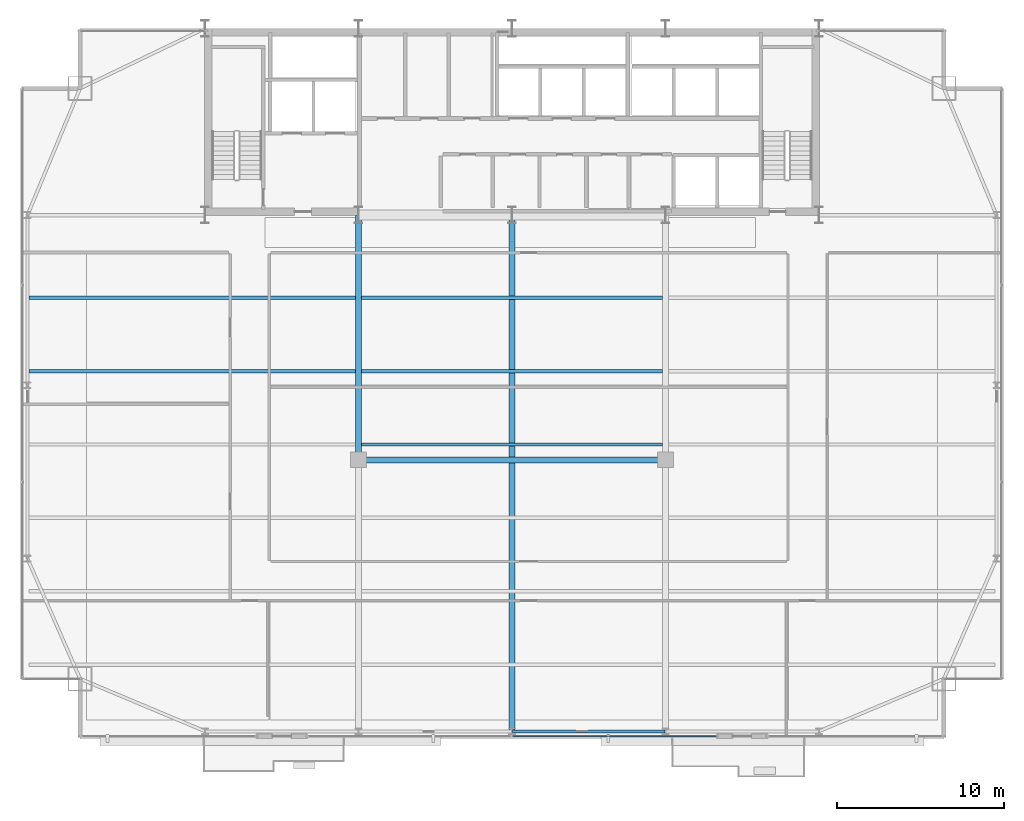
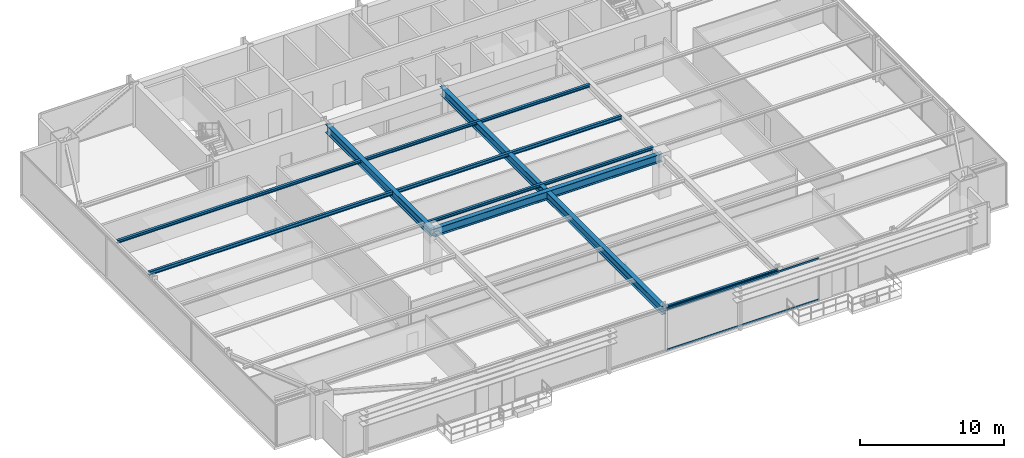
# One storey, part 11 of 34: 9 beams, 2 members, 1 element without a shape of its own.
"""IFC4 building model written with IfcOpenShell, lengths in metres."""

from ifc_helpers import new_model, si_unit, direction, frame, origin, origin_2d, place, context, subcontext, project, spatial, hollow_rectangle, i_section, extrude, source, transform, mapped, material, layer, layer_set, material_profile, profile_set, type_object, type_shapes, element, aggregate, save


model = new_model("IFC4")

# Units and contexts
model_context = context("Model", 3, precision=1e-05, world=origin(), true_north=direction((0.0, 1.0)))
body_context = subcontext(model_context, "Body", "Model", "MODEL_VIEW")
ifc_project = project(units=[si_unit("LENGTHUNIT", "METRE"), si_unit("AREAUNIT", "SQUARE_METRE"), si_unit("VOLUMEUNIT", "CUBIC_METRE"), si_unit("PLANEANGLEUNIT", "RADIAN"), si_unit("MASSUNIT", "GRAM", prefix="KILO")], contexts=[model_context])

# Site, building, storey
site_placement = place(None, origin())
site = spatial("IfcSite", under=ifc_project, at=site_placement, CompositionType="ELEMENT")
building_placement = place(site_placement, origin())
building = spatial("IfcBuilding", under=site, at=building_placement, Name="Varnel Quay Broadcast Tower", CompositionType="ELEMENT")
storey_placement = place(building_placement, frame((0.0, 0.0, 110.60009765625)))
storey = spatial("IfcBuildingStorey", under=building, at=storey_placement, Name="L26", CompositionType="ELEMENT", Elevation=110.60009765625)

# Beams
ifc_material_1 = material(Name="Structural Steel CSA G40.21 350W", Category="steel")
ifc_material_profile_1 = material_profile(ifc_material_1, i_section(OverallWidth=0.180908203125, OverallDepth=0.4169921875, WebThickness=0.010986328125, FlangeThickness=0.018310546875, FilletRadius=0.011962890625, at=origin_2d()), Name="W410X85")
ifc_profile_set_1 = profile_set([ifc_material_profile_1], Name="Structural Steel CSA G40.21 350W")
beam_type_1 = type_object("IfcBeamType", Name="Beam_W410X85", PredefinedType="SPANDREL", material=ifc_profile_set_1)
shared_shape_1 = source(origin(), body_context, "Body", "SweptSolid", [
    extrude(i_section(OverallWidth=0.180908203125, OverallDepth=0.4169921875, WebThickness=0.010986328125, FlangeThickness=0.018310546875, FilletRadius=0.011962890625, at=origin_2d()), origin(), (0.0, 0.0, 1.0), 9.159912109375),
])
type_shapes(beam_type_1, [shared_shape_1])
beam_1_placement = place(storey_placement, frame((34.02001953125, 4.64990234375, 3.34130859375), z_axis=(1.0, 0.0, 0.0), x_axis=(0.0, 1.0, 0.0)))
element("IfcBeam", 1, at=beam_1_placement, inside=storey, type_object=beam_type_1, Name="L26 South Spandrel TC-S3-TC-S4", PredefinedType="SPANDREL", context=body_context, shape_type="MappedRepresentation", body=[
    mapped(shared_shape_1, transform((0.0, 0.0, 0.0), x_axis=(1.0, 0.0, 0.0), y_axis=(0.0, 1.0, 0.0), z_axis=(0.0, 0.0, 1.0), scale=1.0)),
])
ifc_material_profile_2 = material_profile(ifc_material_1, i_section(OverallWidth=0.35498046875, OverallDepth=0.695068359375, WebThickness=0.015380859375, FlangeThickness=0.02490234375, FilletRadius=0.01806640625, at=origin_2d()), Name="W690X217")
ifc_profile_set_2 = profile_set([ifc_material_profile_2], Name="Structural Steel CSA G40.21 350W")
beam_type_2 = type_object("IfcBeamType", Name="Girder_W690X217", PredefinedType="BEAM", material=ifc_profile_set_2)
shared_shape_2 = source(origin(), body_context, "Body", "SweptSolid", [
    extrude(i_section(OverallWidth=0.35498046875, OverallDepth=0.695068359375, WebThickness=0.015380859375, FlangeThickness=0.02490234375, FilletRadius=0.01806640625, at=origin_2d()), origin(), (0.0, 0.0, 1.0), 14.630126953125),
])
beam_2_placement = place(storey_placement, frame((24.800048828125, 20.949951171875, 3.202392578125), z_axis=(0.0, 1.0, 0.0), x_axis=(-1.0, 0.0, 0.0)))
element("IfcBeam", 2, at=beam_2_placement, inside=storey, type_object=beam_type_2, Name="L26 Primary Girder IC-01-CC-S2", PredefinedType="BEAM", context=body_context, shape_type="MappedRepresentation", body=[
    mapped(shared_shape_2, transform((0.0, 0.0, 0.0), x_axis=(1.0, 0.0, 0.0), y_axis=(0.0, 1.0, 0.0), z_axis=(0.0, 0.0, 1.0), scale=1.0)),
])
shared_shape_3 = source(origin(), body_context, "Body", "SweptSolid", [
    extrude(i_section(OverallWidth=0.35498046875, OverallDepth=0.695068359375, WebThickness=0.015380859375, FlangeThickness=0.02490234375, FilletRadius=0.01806640625, at=origin_2d()), origin(), (0.0, 0.0, 1.0), 18.35986328125),
])
beam_3_placement = place(storey_placement, frame((24.820068359375, 20.929931640625, 3.202392578125), z_axis=(1.0, 0.0, 0.0), x_axis=(0.0, 1.0, 0.0)))
element("IfcBeam", 3, at=beam_3_placement, inside=storey, type_object=beam_type_2, Name="L26 Interior Spine Girder", PredefinedType="BEAM", context=body_context, shape_type="MappedRepresentation", body=[
    mapped(shared_shape_3, transform((0.0, 0.0, 0.0), x_axis=(1.0, 0.0, 0.0), y_axis=(0.0, 1.0, 0.0), z_axis=(0.0, 0.0, 1.0), scale=1.0)),
])
shared_shape_4 = source(origin(), body_context, "Body", "SweptSolid", [
    extrude(i_section(OverallWidth=0.35498046875, OverallDepth=0.695068359375, WebThickness=0.015380859375, FlangeThickness=0.02490234375, FilletRadius=0.01806640625, at=origin_2d()), origin(), (0.0, 0.0, 1.0), 30.91015625),
])
type_shapes(beam_type_2, [shared_shape_2, shared_shape_3, shared_shape_4])
beam_4_placement = place(storey_placement, frame((34.0, 4.669921875, 3.202392578125), z_axis=(0.0, 1.0, 0.0), x_axis=(-1.0, 0.0, 0.0)))
element("IfcBeam", 4, at=beam_4_placement, inside=storey, type_object=beam_type_2, Name="L26 Central Bay Girder", PredefinedType="BEAM", context=body_context, shape_type="MappedRepresentation", body=[
    mapped(shared_shape_4, transform((0.0, 0.0, 0.0), x_axis=(1.0, 0.0, 0.0), y_axis=(0.0, 1.0, 0.0), z_axis=(0.0, 0.0, 1.0), scale=1.0)),
])
ifc_material_profile_3 = material_profile(ifc_material_1, i_section(OverallWidth=0.202880859375, OverallDepth=0.302978515625, WebThickness=0.007568359375, FlangeThickness=0.01318359375, FilletRadius=0.011962890625, at=origin_2d()), Name="W310X60")
ifc_profile_set_3 = profile_set([ifc_material_profile_3], Name="Structural Steel CSA G40.21 350W")
beam_type_3 = type_object("IfcBeamType", Name="Beam_W310X60", PredefinedType="JOIST", material=ifc_profile_set_3)
shared_shape_5 = source(origin(), body_context, "Body", "SweptSolid", [
    extrude(i_section(OverallWidth=0.202880859375, OverallDepth=0.302978515625, WebThickness=0.007568359375, FlangeThickness=0.01318359375, FilletRadius=0.011962890625, at=origin_2d()), origin(), (0.0, 0.0, 1.0), 19.592041015625),
])
beam_5_placement = place(storey_placement, frame((5.035400390625, 26.25, 3.3984375), z_axis=(1.0, 0.0, 0.0), x_axis=(0.0, 1.0, 0.0)))
element("IfcBeam", 5, at=beam_5_placement, inside=storey, type_object=beam_type_3, Name="L26 West Floor Joist 5", PredefinedType="JOIST", context=body_context, shape_type="MappedRepresentation", body=[
    mapped(shared_shape_5, transform((0.0, 0.0, 0.0), x_axis=(1.0, 0.0, 0.0), y_axis=(0.0, 1.0, 0.0), z_axis=(0.0, 0.0, 1.0), scale=1.0)),
])
shared_shape_6 = source(origin(), body_context, "Body", "SweptSolid", [
    extrude(i_section(OverallWidth=0.202880859375, OverallDepth=0.302978515625, WebThickness=0.007568359375, FlangeThickness=0.01318359375, FilletRadius=0.011962890625, at=origin_2d()), origin(), (0.0, 0.0, 1.0), 18.05517578125),
])
type_shapes(beam_type_3, [shared_shape_5, shared_shape_6])
beam_6_placement = place(storey_placement, frame((24.972412109375, 26.25, 3.3984375), z_axis=(1.0, 0.0, 0.0), x_axis=(0.0, 1.0, 0.0)))
element("IfcBeam", 6, at=beam_6_placement, inside=storey, type_object=beam_type_3, Name="L26 Central Floor Joist 5", PredefinedType="JOIST", context=body_context, shape_type="MappedRepresentation", body=[
    mapped(shared_shape_6, transform((0.0, 0.0, 0.0), x_axis=(1.0, 0.0, 0.0), y_axis=(0.0, 1.0, 0.0), z_axis=(0.0, 0.0, 1.0), scale=1.0)),
])
ifc_material_profile_4 = material_profile(ifc_material_1, i_section(OverallWidth=0.201904296875, OverallDepth=0.2470703125, WebThickness=0.00732421875, FlangeThickness=0.010986328125, FilletRadius=0.010986328125, at=origin_2d()), Name="W250X49")
ifc_profile_set_4 = profile_set([ifc_material_profile_4], Name="Structural Steel CSA G40.21 350W")
beam_type_4 = type_object("IfcBeamType", Name="Beam_W250X49", PredefinedType="JOIST", material=ifc_profile_set_4)
shared_shape_7 = source(origin(), body_context, "Body", "SweptSolid", [
    extrude(i_section(OverallWidth=0.201904296875, OverallDepth=0.2470703125, WebThickness=0.00732421875, FlangeThickness=0.010986328125, FilletRadius=0.010986328125, at=origin_2d()), origin(), (0.0, 0.0, 1.0), 19.592041015625),
])
beam_7_placement = place(storey_placement, frame((5.035400390625, 30.64990234375, 3.426513671875), z_axis=(1.0, 0.0, 0.0), x_axis=(0.0, 1.0, 0.0)))
element("IfcBeam", 7, at=beam_7_placement, inside=storey, type_object=beam_type_4, Name="L26 West Floor Joist 6", PredefinedType="JOIST", context=body_context, shape_type="MappedRepresentation", body=[
    mapped(shared_shape_7, transform((0.0, 0.0, 0.0), x_axis=(1.0, 0.0, 0.0), y_axis=(0.0, 1.0, 0.0), z_axis=(0.0, 0.0, 1.0), scale=1.0)),
])
shared_shape_8 = source(origin(), body_context, "Body", "SweptSolid", [
    extrude(i_section(OverallWidth=0.201904296875, OverallDepth=0.2470703125, WebThickness=0.00732421875, FlangeThickness=0.010986328125, FilletRadius=0.010986328125, at=origin_2d()), origin(), (0.0, 0.0, 1.0), 18.05517578125),
])
type_shapes(beam_type_4, [shared_shape_7, shared_shape_8])
for number, where, z_axis, x_axis, name in (
    (8, (24.972412109375, 21.85009765625, 3.426513671875), (1.0, 0.0, 0.0), (0.0, 1.0, 0.0), "L26 Central Floor Joist 4"),
    (9, (24.972412109375, 30.64990234375, 3.426513671875), (1.0, 0.0, 0.0), (0.0, 1.0, 0.0), "L26 Central Floor Joist 6"),
):
    element("IfcBeam", number, at=place(storey_placement, frame(where, z_axis=z_axis, x_axis=x_axis)), inside=storey, type_object=beam_type_4, Name=name, PredefinedType="JOIST", context=body_context, shape_type="MappedRepresentation", body=[
        mapped(shared_shape_8, transform((0.0, 0.0, 0.0), x_axis=(1.0, 0.0, 0.0), y_axis=(0.0, 1.0, 0.0), z_axis=(0.0, 0.0, 1.0), scale=1.0)),
    ])

# Curtain wall, members
ifc_material_2 = material(Name="Anodised Bronze Aluminium 6063-T6", Category="aluminium")
ifc_layer = layer(ifc_material_2, 0.18994140625, Name="Anodised Bronze Aluminium 6063-T6")
ifc_layer_set = layer_set([ifc_layer], Name="Anodised Bronze Aluminium 6063-T6")
curtain_wall_type = type_object("IfcCurtainWallType", Name="CW_LowerTower", PredefinedType="NOTDEFINED", material=ifc_layer_set)
curtain_wall_placement = place(storey_placement, origin())
curtain_wall = element("IfcCurtainWall", 10, at=curtain_wall_placement, inside=storey, type_object=curtain_wall_type, Name="L26 South Unitised Curtain Wall 2", PredefinedType="NOTDEFINED")
ifc_material_profile_5 = material_profile(ifc_material_2, hollow_rectangle(XDim=0.06005859375, YDim=0.14501953125, WallThickness=0.00341796875, at=origin_2d()), Name="ALU60X145X3.5")
ifc_profile_set_5 = profile_set([ifc_material_profile_5], Name="Anodised Bronze Aluminium 6063-T6")
member_type = type_object("IfcMemberType", Name="Tran_CWS-02", PredefinedType="USERDEFINED", material=ifc_profile_set_5)
shared_shape_9 = source(origin(), body_context, "Body", "SweptSolid", [
    extrude(hollow_rectangle(XDim=0.06005859375, YDim=0.14501953125, WallThickness=0.00341796875, at=origin_2d()), origin(), (0.0, 0.0, 1.0), 12.215087890625),
])
type_shapes(member_type, [shared_shape_9])
member_1_placement = place(storey_placement, frame((34.034912109375, 4.35009765625, 0.02978515625), z_axis=(1.0, 0.0, 0.0), x_axis=(0.0, 1.0, 0.0)))
member_1 = element("IfcMember", 11, at=member_1_placement, type_object=member_type, Name="CWS-02 transom 2.1", ObjectType="TRANSOM", PredefinedType="USERDEFINED", context=body_context, shape_type="MappedRepresentation", body=[
    mapped(shared_shape_9, transform((0.0, 0.0, 0.0), x_axis=(1.0, 0.0, 0.0), y_axis=(0.0, 1.0, 0.0), z_axis=(0.0, 0.0, 1.0), scale=1.0)),
])
member_2_placement = place(storey_placement, frame((34.034912109375, 4.35009765625, 3.52001953125), z_axis=(1.0, 0.0, 0.0), x_axis=(0.0, 1.0, 0.0)))
member_2 = element("IfcMember", 12, at=member_2_placement, type_object=member_type, Name="CWS-02 transom 2.2", ObjectType="TRANSOM", PredefinedType="USERDEFINED", context=body_context, shape_type="MappedRepresentation", body=[
    mapped(shared_shape_9, transform((0.0, 0.0, 0.0), x_axis=(1.0, 0.0, 0.0), y_axis=(0.0, 1.0, 0.0), z_axis=(0.0, 0.0, 1.0), scale=1.0)),
])
aggregate(curtain_wall, [member_1, member_2])

save(model, "model.ifc")
